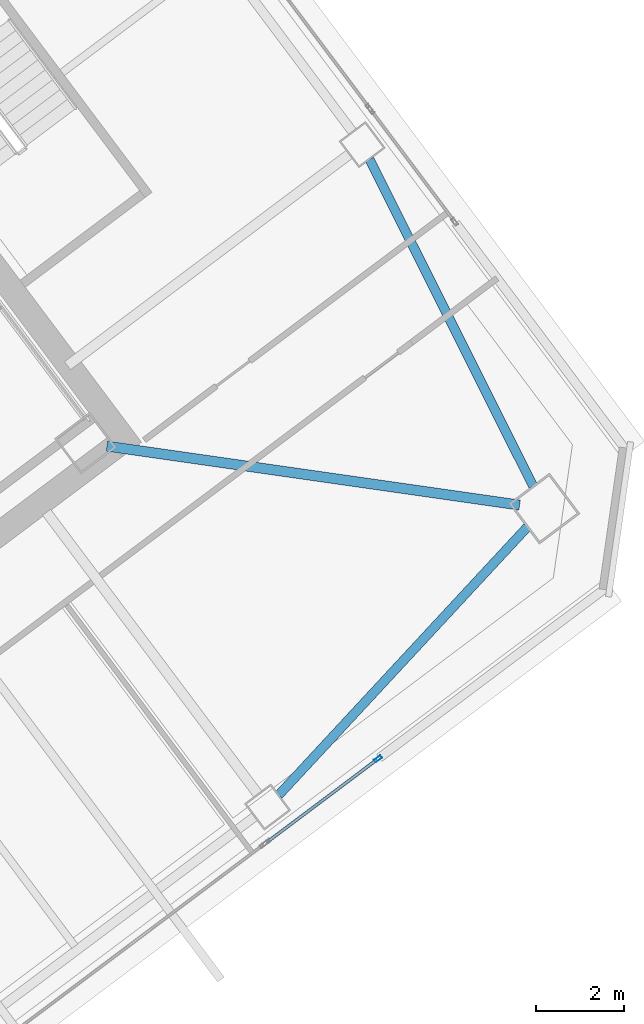
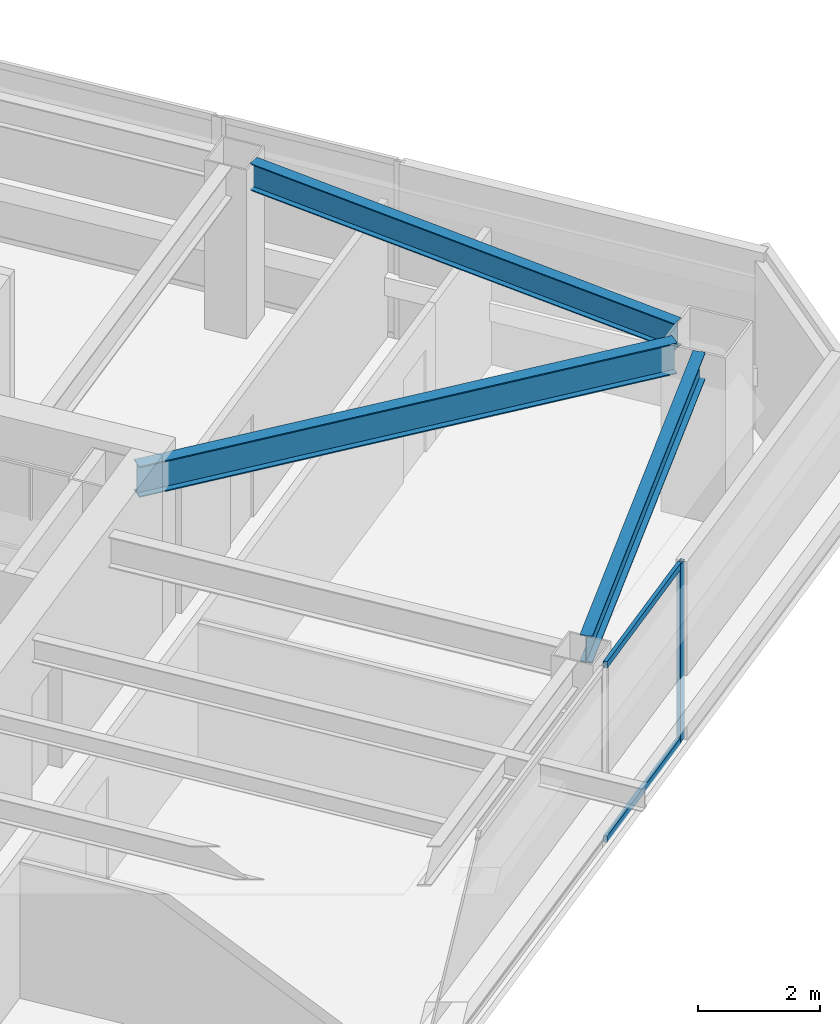
# One storey, part 25 of 42: 3 beams, 3 members, 1 element without a shape of its own.
"""IFC4 building model written with IfcOpenShell, lengths in metres."""

from ifc_helpers import new_model, si_unit, direction, frame, origin, origin_2d, place, context, subcontext, project, spatial, hollow_rectangle, i_section, extrude, material, material_profile, profile_set, type_object, element, aggregate, save


model = new_model("IFC4")

# Units and contexts
model_context = context("Model", 3, precision=1e-05, world=origin(), true_north=direction((0.0, 1.0)))
body_context = subcontext(model_context, "Body", "Model", "MODEL_VIEW")
ifc_project = project(units=[si_unit("LENGTHUNIT", "METRE"), si_unit("AREAUNIT", "SQUARE_METRE"), si_unit("VOLUMEUNIT", "CUBIC_METRE"), si_unit("PLANEANGLEUNIT", "RADIAN"), si_unit("MASSUNIT", "GRAM", prefix="KILO")], contexts=[model_context])

# Site, building, storey
site_placement = place(None, origin())
site = spatial("IfcSite", under=ifc_project, at=site_placement, CompositionType="ELEMENT")
building_placement = place(site_placement, origin())
building = spatial("IfcBuilding", under=site, at=building_placement, Name="Tashvorn Skyway Center", CompositionType="ELEMENT")
storey_placement = place(building_placement, frame((0.0, 0.0, 164.10009765625)))
storey = spatial("IfcBuildingStorey", under=building, at=storey_placement, Name="L44", CompositionType="ELEMENT", Elevation=164.10009765625)

# Beams
ifc_material_1 = material(Name="Steel ASTM A992 Grade 50", Category="steel")
ifc_material_profile_1 = material_profile(ifc_material_1, i_section(OverallWidth=0.22998046875, OverallDepth=0.616943359375, WebThickness=0.01318359375, FlangeThickness=0.022216796875, at=origin_2d()), Name="W24X94")
ifc_profile_set_1 = profile_set([ifc_material_profile_1], Name="Steel ASTM A992 Grade 50")
beam_type_1 = type_object("IfcBeamType", Name="BM-BEAM-W24X94", PredefinedType="BEAM", material=ifc_profile_set_1)
beam_placement = place(storey_placement, frame((133.73583984375, 29.1806640625, 3.0615234375), z_axis=(-0.989950009213, 0.141417747326, 0.0), x_axis=(-0.141417747326, -0.989950009213, 0.0)))
element("IfcBeam", 1, at=beam_placement, inside=storey, type_object=beam_type_1, Name="Tower 2 L44 Primary Floor Girder MC-SE", PredefinedType="BEAM", context=body_context, shape_type="SweptSolid", body=[
    extrude(i_section(OverallWidth=0.22998046875, OverallDepth=0.616943359375, WebThickness=0.01318359375, FlangeThickness=0.022216796875, at=origin_2d()), origin(), (0.0, 0.0, 1.0), 9.470947265625),
])
ifc_material_profile_2 = material_profile(ifc_material_1, i_section(OverallWidth=0.2109375, OverallDepth=0.5390625, WebThickness=0.01171875, FlangeThickness=0.018798828125, at=origin_2d()), Name="W21X73")
ifc_profile_set_2 = profile_set([ifc_material_profile_2], Name="Steel ASTM A992 Grade 50")
beam_type_2 = type_object("IfcBeamType", Name="BM-SPANDREL-W21X73", PredefinedType="SPANDREL", material=ifc_profile_set_2)
for number, where, z_axis, x_axis, name in (
    (2, (128.26171875, 22.59130859375, 3.100341796875), (0.680119661736, 0.733101115618, 0.0), (-0.733101115618, 0.680119661736, 0.0), "Tower 2 L44 Spandrel Beam 03"),
    (3, (134.044921875, 29.609619140625, 3.100341796875), (-0.447648438059, 0.894209637559, 0.0), (-0.894209637559, -0.447648438059, 0.0), "Tower 2 L44 Spandrel Beam 04"),
):
    element("IfcBeam", number, at=place(storey_placement, frame(where, z_axis=z_axis, x_axis=x_axis)), inside=storey, type_object=beam_type_2, Name=name, PredefinedType="SPANDREL", context=body_context, shape_type="SweptSolid", body=[
        extrude(i_section(OverallWidth=0.2109375, OverallDepth=0.5390625, WebThickness=0.01171875, FlangeThickness=0.018798828125, at=origin_2d()), origin(), (0.0, 0.0, 1.0), 8.308349609375),
    ])

# Curtain wall, members
ifc_material_2 = material(Name="Thermally broken bronze-anodized aluminium 6063-T6", Category="aluminium")
curtain_wall_type = type_object("IfcCurtainWallType", Name="CW-CW-Z4", PredefinedType="NOTDEFINED", material=ifc_material_2)
curtain_wall_placement = place(storey_placement, origin())
curtain_wall = element("IfcCurtainWall", 4, at=curtain_wall_placement, inside=storey, type_object=curtain_wall_type, Name="Tower 2 L44 South Unitised Curtain Wall Glazing Group 1", PredefinedType="NOTDEFINED")
ifc_material_profile_3 = material_profile(ifc_material_2, hollow_rectangle(XDim=0.070068359375, YDim=0.179931640625, WallThickness=0.00390625, at=origin_2d()), Name="ALU-MULL-70x180")
ifc_profile_set_3 = profile_set([ifc_material_profile_3], Name="Thermally broken bronze-anodized aluminium 6063-T6")
member_type_1 = type_object("IfcMemberType", Name="CWM-CW-Z4", PredefinedType="MULLION", material=ifc_profile_set_3)
member_1_placement = place(storey_placement, frame((130.52001953125, 23.4150390625, 0.0), z_axis=(0.0, 0.0, 1.0), x_axis=(0.600000000002, -0.799999999998, 0.0)))
member_1 = element("IfcMember", 5, at=member_1_placement, type_object=member_type_1, Name="CW-Z4 mullion 1", PredefinedType="MULLION", context=body_context, shape_type="SweptSolid", body=[
    extrude(hollow_rectangle(XDim=0.070068359375, YDim=0.179931640625, WallThickness=0.00390625, at=origin_2d()), origin(), (0.0, 0.0, 1.0), 3.5498046875),
])
ifc_material_profile_4 = material_profile(ifc_material_2, hollow_rectangle(XDim=0.070068359375, YDim=0.1298828125, WallThickness=0.00390625, at=origin_2d()), Name="ALU-TRAN-70x130")
ifc_profile_set_4 = profile_set([ifc_material_profile_4], Name="Thermally broken bronze-anodized aluminium 6063-T6")
member_type_2 = type_object("IfcMemberType", Name="CWT-CW-Z4", PredefinedType="USERDEFINED", material=ifc_profile_set_4)
member_2_placement = place(storey_placement, frame((130.491943359375, 23.39404296875, 0.034912109375), z_axis=(-0.799981098691, -0.600025200918, 0.0), x_axis=(0.600025200918, -0.799981098691, 0.0)))
member_2 = element("IfcMember", 6, at=member_2_placement, type_object=member_type_2, Name="CW-Z4 transom 1.1", ObjectType="TRANSOM", PredefinedType="USERDEFINED", context=body_context, shape_type="SweptSolid", body=[
    extrude(hollow_rectangle(XDim=0.070068359375, YDim=0.1298828125, WallThickness=0.00390625, at=origin_2d()), origin(), (0.0, 0.0, 1.0), 3.10009765625),
])
member_3_placement = place(storey_placement, frame((130.491943359375, 23.39404296875, 3.514892578125), z_axis=(-0.799981098691, -0.600025200918, 0.0), x_axis=(0.600025200918, -0.799981098691, 0.0)))
member_3 = element("IfcMember", 7, at=member_3_placement, type_object=member_type_2, Name="CW-Z4 transom 1.2", ObjectType="TRANSOM", PredefinedType="USERDEFINED", context=body_context, shape_type="SweptSolid", body=[
    extrude(hollow_rectangle(XDim=0.070068359375, YDim=0.1298828125, WallThickness=0.00390625, at=origin_2d()), origin(), (0.0, 0.0, 1.0), 3.10009765625),
])
aggregate(curtain_wall, [member_1, member_2, member_3])

save(model, "model.ifc")
